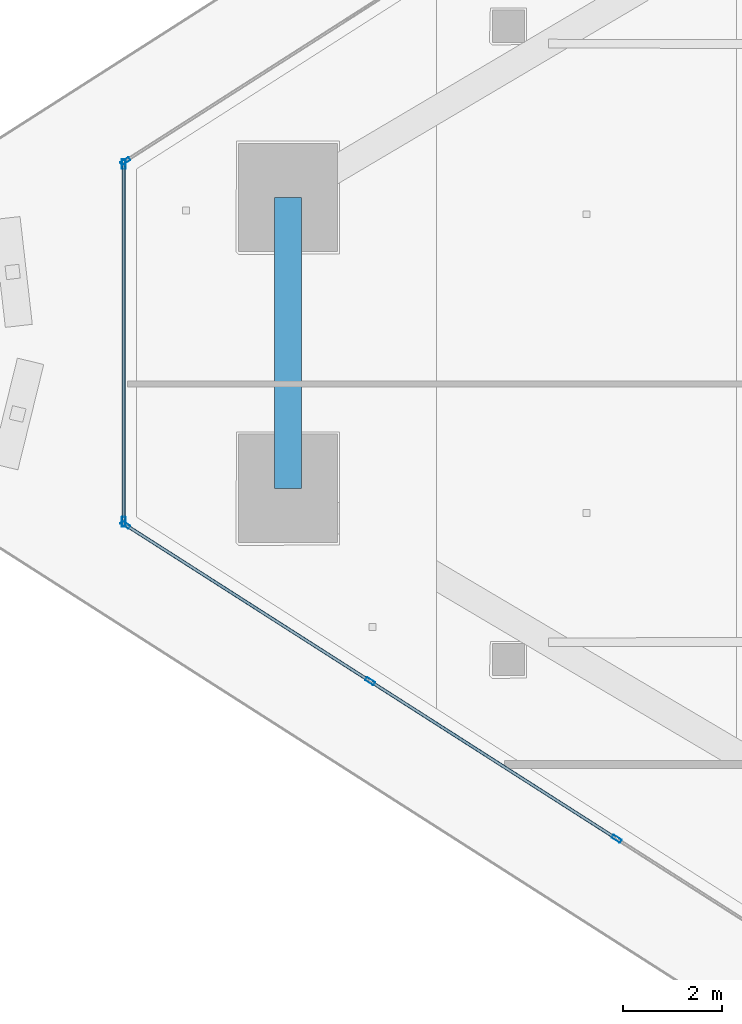
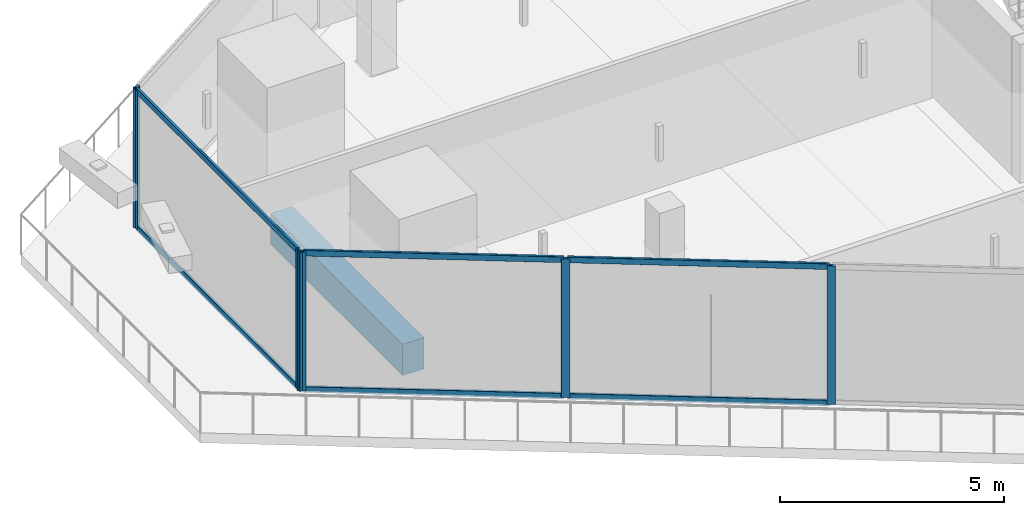
# One storey, part 5 of 38: 12 members, 1 beam, 3 elements without a shape of their own.
"""IFC4 building model written with IfcOpenShell, lengths in metres."""

from ifc_helpers import new_model, si_unit, direction, frame, origin, origin_2d, place, context, subcontext, project, spatial, rectangle, hollow_rectangle, extrude, material, layer, layer_set, material_profile, profile_set, type_object, element, aggregate, save


model = new_model("IFC4")

# Units and contexts
model_context = context("Model", 3, precision=1e-05, world=origin(), true_north=direction((0.0, 1.0)))
body_context = subcontext(model_context, "Body", "Model", "MODEL_VIEW")
ifc_project = project(units=[si_unit("LENGTHUNIT", "METRE"), si_unit("AREAUNIT", "SQUARE_METRE"), si_unit("VOLUMEUNIT", "CUBIC_METRE"), si_unit("PLANEANGLEUNIT", "RADIAN"), si_unit("MASSUNIT", "GRAM", prefix="KILO")], contexts=[model_context])

# Site, building, storey
site_placement = place(None, origin())
site = spatial("IfcSite", under=ifc_project, at=site_placement, CompositionType="ELEMENT")
building_placement = place(site_placement, origin())
building = spatial("IfcBuilding", under=site, at=building_placement, Name="Qorvath Tower", CompositionType="ELEMENT")
storey_placement = place(building_placement, frame((0.0, 0.0, 158.39990234375)))
storey = spatial("IfcBuildingStorey", under=building, at=storey_placement, Name="L36", CompositionType="ELEMENT", Elevation=158.39990234375)

# Beam
ifc_material_1 = material(Name="Concrete C50/60", Category="concrete")
ifc_material_profile_1 = material_profile(ifc_material_1, rectangle(XDim=0.550048828125, YDim=0.85009765625, at=origin_2d()), Name="RCB 850x550")
ifc_profile_set_1 = profile_set([ifc_material_profile_1], Name="Concrete C50/60")
beam_type = type_object("IfcBeamType", Name="BM-RCB2", PredefinedType="SPANDREL", material=ifc_profile_set_1)
beam_placement = place(storey_placement, frame((-53.04931640625, 2.95068359375, -0.695068359375), z_axis=(0.0, -1.0, 0.0), x_axis=(1.0, 0.0, 0.0)))
element("IfcBeam", 1, at=beam_placement, inside=storey, type_object=beam_type, Name="Perimeter Loggia Frame Beam MC1-MC2 L36", PredefinedType="SPANDREL", context=body_context, shape_type="SweptSolid", body=[
    extrude(rectangle(XDim=0.550048828125, YDim=0.85009765625, at=origin_2d()), origin(), (0.0, 0.0, 1.0), 5.9013671875),
])

# Curtain wall, member
ifc_material_2 = material(Name="Anodised aluminium and triple low-E glass", Category="aluminium")
ifc_layer = layer(ifc_material_2, 0.179931640625)
ifc_layer_set = layer_set([ifc_layer], Name="CW-SYS-5")
curtain_wall_type = type_object("IfcCurtainWallType", Name="CW-SYS-5", PredefinedType="NOTDEFINED", material=ifc_layer_set)
curtain_wall_1_placement = place(storey_placement, origin())
curtain_wall_1 = element("IfcCurtainWall", 2, at=curtain_wall_1_placement, inside=storey, type_object=curtain_wall_type, Name="Curtain Wall CW-5 CW-T-L36-16.3", PredefinedType="NOTDEFINED")
ifc_material_3 = material(Name="Anodised aluminium 6063-T6", Category="aluminium")
ifc_material_profile_2 = material_profile(ifc_material_3, hollow_rectangle(XDim=0.074951171875, YDim=0.199951171875, WallThickness=0.00390625, InnerFilletRadius=0.00390625, OuterFilletRadius=0.008056640625, at=origin_2d()), Name="CWM 200x75")
ifc_profile_set_2 = profile_set([ifc_material_profile_2], Name="Anodised aluminium 6063-T6")
member_type_1 = type_object("IfcMemberType", Name="CWM-200", PredefinedType="MULLION", material=ifc_profile_set_2)
member_1_placement = place(storey_placement, frame((-56.3505859375, 3.68701171875, 0.0), z_axis=(0.0, 0.0, 1.0), x_axis=(0.538528565454, -0.84260725382, 0.0)))
member_1 = element("IfcMember", 3, at=member_1_placement, type_object=member_type_1, Name="CW-5 mullion 3", PredefinedType="MULLION", context=body_context, shape_type="SweptSolid", body=[
    extrude(hollow_rectangle(XDim=0.074951171875, YDim=0.199951171875, WallThickness=0.00390625, InnerFilletRadius=0.00390625, OuterFilletRadius=0.008056640625, at=origin_2d()), origin(), (0.0, 0.0, 1.0), 3.780029296875),
])
aggregate(curtain_wall_1, [member_1])

# Curtain wall, members
curtain_wall_2_placement = place(storey_placement, origin())
curtain_wall_2 = element("IfcCurtainWall", 4, at=curtain_wall_2_placement, inside=storey, type_object=curtain_wall_type, Name="Curtain Wall CW-5 CW-T-L36-17.1", PredefinedType="NOTDEFINED")
member_2_placement = place(storey_placement, frame((-56.38232421875, 3.629150390625, 0.0), z_axis=(0.0, 0.0, 1.0), x_axis=(1.0, 0.0, 0.0)))
member_2 = element("IfcMember", 5, at=member_2_placement, type_object=member_type_1, Name="CW-5 mullion 1", PredefinedType="MULLION", context=body_context, shape_type="SweptSolid", body=[
    extrude(hollow_rectangle(XDim=0.074951171875, YDim=0.199951171875, WallThickness=0.00390625, InnerFilletRadius=0.00390625, OuterFilletRadius=0.008056640625, at=origin_2d()), origin(), (0.0, 0.0, 1.0), 3.780029296875),
])
member_3_placement = place(storey_placement, frame((-56.38232421875, -3.629150390625, 0.0), z_axis=(0.0, 0.0, 1.0), x_axis=(1.0, 0.0, 0.0)))
member_3 = element("IfcMember", 6, at=member_3_placement, type_object=member_type_1, Name="CW-5 mullion 2", PredefinedType="MULLION", context=body_context, shape_type="SweptSolid", body=[
    extrude(hollow_rectangle(XDim=0.074951171875, YDim=0.199951171875, WallThickness=0.00390625, InnerFilletRadius=0.00390625, OuterFilletRadius=0.008056640625, at=origin_2d()), origin(), (0.0, 0.0, 1.0), 3.780029296875),
])

curtain_wall_3_placement = place(storey_placement, origin())
curtain_wall_3 = element("IfcCurtainWall", 7, at=curtain_wall_3_placement, inside=storey, type_object=curtain_wall_type, Name="Curtain Wall CW-5 CW-T-L36-18.1", PredefinedType="NOTDEFINED")
member_4_placement = place(storey_placement, frame((-56.3505859375, -3.68701171875, 0.0), z_axis=(0.0, 0.0, 1.0), x_axis=(0.5385386818, 0.842600788159, 0.0)))
member_4 = element("IfcMember", 8, at=member_4_placement, type_object=member_type_1, Name="CW-5 mullion 1", PredefinedType="MULLION", context=body_context, shape_type="SweptSolid", body=[
    extrude(hollow_rectangle(XDim=0.074951171875, YDim=0.199951171875, WallThickness=0.00390625, InnerFilletRadius=0.00390625, OuterFilletRadius=0.008056640625, at=origin_2d()), origin(), (0.0, 0.0, 1.0), 3.780029296875),
])
member_5_placement = place(storey_placement, frame((-51.383056640625, -6.86181640625, 0.0), z_axis=(0.0, 0.0, 1.0), x_axis=(0.5385386818, 0.842600788159, 0.0)))
member_5 = element("IfcMember", 9, at=member_5_placement, type_object=member_type_1, Name="CW-5 mullion 2", PredefinedType="MULLION", context=body_context, shape_type="SweptSolid", body=[
    extrude(hollow_rectangle(XDim=0.074951171875, YDim=0.199951171875, WallThickness=0.00390625, InnerFilletRadius=0.00390625, OuterFilletRadius=0.008056640625, at=origin_2d()), origin(), (0.0, 0.0, 1.0), 3.780029296875),
])
member_6_placement = place(storey_placement, frame((-46.3837890625, -10.05712890625, 0.0), z_axis=(0.0, 0.0, 1.0), x_axis=(0.5385386818, 0.842600788159, 0.0)))
member_6 = element("IfcMember", 10, at=member_6_placement, type_object=member_type_1, Name="CW-5 mullion 3", PredefinedType="MULLION", context=body_context, shape_type="SweptSolid", body=[
    extrude(hollow_rectangle(XDim=0.074951171875, YDim=0.199951171875, WallThickness=0.00390625, InnerFilletRadius=0.00390625, OuterFilletRadius=0.008056640625, at=origin_2d()), origin(), (0.0, 0.0, 1.0), 3.780029296875),
])

# Member
ifc_material_4 = material(Name="Anodised aluminium 6063-T6", Category="aluminium")
ifc_material_profile_3 = material_profile(ifc_material_4, hollow_rectangle(XDim=0.06494140625, YDim=0.159912109375, WallThickness=0.00341796875, InnerFilletRadius=0.00341796875, OuterFilletRadius=0.007080078125, at=origin_2d()), Name="CWT 160x65")
ifc_profile_set_3 = profile_set([ifc_material_profile_3], Name="Anodised aluminium 6063-T6")
member_type_2 = type_object("IfcMemberType", Name="CWT-160", PredefinedType="USERDEFINED", material=ifc_profile_set_3)
member_7_placement = place(storey_placement, frame((-56.38232421875, 3.591796875, 0.032470703125), z_axis=(0.0, -1.0, 0.0), x_axis=(1.0, 0.0, 0.0)))
member_7 = element("IfcMember", 11, at=member_7_placement, type_object=member_type_2, Name="CW-5 transom 1.1", ObjectType="TRANSOM", PredefinedType="USERDEFINED", context=body_context, shape_type="SweptSolid", body=[
    extrude(hollow_rectangle(XDim=0.06494140625, YDim=0.159912109375, WallThickness=0.00341796875, InnerFilletRadius=0.00341796875, OuterFilletRadius=0.007080078125, at=origin_2d()), origin(), (0.0, 0.0, 1.0), 7.18359375),
])

member_8_placement = place(storey_placement, frame((-56.38232421875, 3.591796875, 3.74755859375), z_axis=(0.0, -1.0, 0.0), x_axis=(1.0, 0.0, 0.0)))
member_8 = element("IfcMember", 12, at=member_8_placement, type_object=member_type_2, Name="CW-5 transom 1.2", ObjectType="TRANSOM", PredefinedType="USERDEFINED", context=body_context, shape_type="SweptSolid", body=[
    extrude(hollow_rectangle(XDim=0.06494140625, YDim=0.159912109375, WallThickness=0.00341796875, InnerFilletRadius=0.00341796875, OuterFilletRadius=0.007080078125, at=origin_2d()), origin(), (0.0, 0.0, 1.0), 7.18359375),
])

aggregate(curtain_wall_2, [member_2, member_3, member_7, member_8])

member_9_placement = place(storey_placement, frame((-56.319091796875, -3.70703125, 0.032470703125), z_axis=(0.84259422536, -0.538548949854, 0.0), x_axis=(0.538548949854, 0.84259422536, 0.0)))
member_9 = element("IfcMember", 13, at=member_9_placement, type_object=member_type_2, Name="CW-5 transom 1.1", ObjectType="TRANSOM", PredefinedType="USERDEFINED", context=body_context, shape_type="SweptSolid", body=[
    extrude(hollow_rectangle(XDim=0.06494140625, YDim=0.159912109375, WallThickness=0.00341796875, InnerFilletRadius=0.00341796875, OuterFilletRadius=0.007080078125, at=origin_2d()), origin(), (0.0, 0.0, 1.0), 5.82080078125),
])

member_10_placement = place(storey_placement, frame((-56.319091796875, -3.70703125, 3.74755859375), z_axis=(0.84259422536, -0.538548949854, 0.0), x_axis=(0.538548949854, 0.84259422536, 0.0)))
member_10 = element("IfcMember", 14, at=member_10_placement, type_object=member_type_2, Name="CW-5 transom 1.2", ObjectType="TRANSOM", PredefinedType="USERDEFINED", context=body_context, shape_type="SweptSolid", body=[
    extrude(hollow_rectangle(XDim=0.06494140625, YDim=0.159912109375, WallThickness=0.00341796875, InnerFilletRadius=0.00341796875, OuterFilletRadius=0.007080078125, at=origin_2d()), origin(), (0.0, 0.0, 1.0), 5.82080078125),
])

member_11_placement = place(storey_placement, frame((-51.3515625, -6.882080078125, 0.032470703125), z_axis=(0.842614842364, -0.538516691875, 0.0), x_axis=(0.538516691875, 0.842614842364, 0.0)))
member_11 = element("IfcMember", 15, at=member_11_placement, type_object=member_type_2, Name="CW-5 transom 2.1", ObjectType="TRANSOM", PredefinedType="USERDEFINED", context=body_context, shape_type="SweptSolid", body=[
    extrude(hollow_rectangle(XDim=0.06494140625, YDim=0.159912109375, WallThickness=0.00341796875, InnerFilletRadius=0.00341796875, OuterFilletRadius=0.007080078125, at=origin_2d()), origin(), (0.0, 0.0, 1.0), 5.8583984375),
])

member_12_placement = place(storey_placement, frame((-51.3515625, -6.882080078125, 3.74755859375), z_axis=(0.842614842364, -0.538516691875, 0.0), x_axis=(0.538516691875, 0.842614842364, 0.0)))
member_12 = element("IfcMember", 16, at=member_12_placement, type_object=member_type_2, Name="CW-5 transom 2.2", ObjectType="TRANSOM", PredefinedType="USERDEFINED", context=body_context, shape_type="SweptSolid", body=[
    extrude(hollow_rectangle(XDim=0.06494140625, YDim=0.159912109375, WallThickness=0.00341796875, InnerFilletRadius=0.00341796875, OuterFilletRadius=0.007080078125, at=origin_2d()), origin(), (0.0, 0.0, 1.0), 5.8583984375),
])

aggregate(curtain_wall_3, [member_4, member_5, member_6, member_9, member_10, member_11, member_12])

save(model, "model.ifc")
